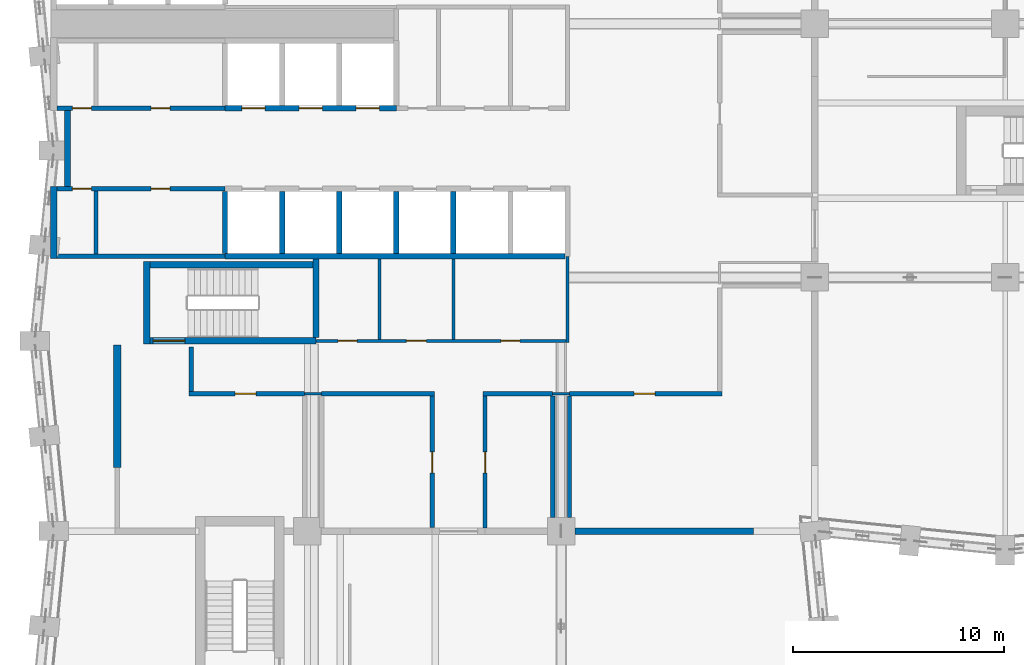
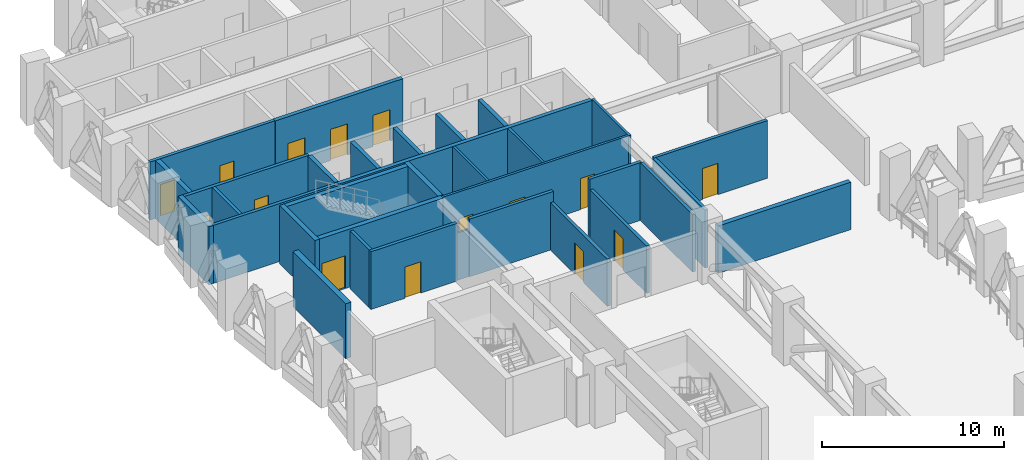
# One storey, part 14 of 25: 34 walls, 15 doors, 15 openings.
"""IFC4 building model written with IfcOpenShell, lengths in metres."""

from ifc_helpers import new_model, si_unit, direction, frame, frame_2d, origin, place, context, subcontext, project, spatial, rectangle, extrude, material, layer, layer_set, type_object, element, fill, save


model = new_model("IFC4")

# Units and contexts
model_context = context("Model", 3, precision=1e-05, world=origin(), true_north=direction((0.0, 1.0)))
body_context = subcontext(model_context, "Body", "Model", "MODEL_VIEW")
ifc_project = project(units=[si_unit("LENGTHUNIT", "METRE"), si_unit("AREAUNIT", "SQUARE_METRE"), si_unit("VOLUMEUNIT", "CUBIC_METRE"), si_unit("PLANEANGLEUNIT", "RADIAN"), si_unit("MASSUNIT", "GRAM", prefix="KILO")], contexts=[model_context])

# Site, building, storey
site_placement = place(None, origin())
site = spatial("IfcSite", under=ifc_project, at=site_placement, CompositionType="ELEMENT")
building_placement = place(site_placement, origin())
building = spatial("IfcBuilding", under=site, at=building_placement, Name="Brondeck Convention Tower", CompositionType="ELEMENT")
storey_placement = place(building_placement, frame((0.0, 0.0, 84.300048828125)))
storey = spatial("IfcBuildingStorey", under=building, at=storey_placement, Name="L19", CompositionType="ELEMENT", Elevation=84.300048828125)

# Walls
ifc_material_1 = material(Name="Precast concrete C50/60 bronze finish", Category="concrete")
ifc_layer_1 = layer(ifc_material_1, 0.080078125, Name="Bronze precast facing")
ifc_material_2 = material(Name="Mineral wool")
ifc_layer_2 = layer(ifc_material_2, 0.159912109375, Name="Insulation")
ifc_material_3 = material(Name="Precast concrete C50/60", Category="concrete")
ifc_layer_3 = layer(ifc_material_3, 0.110107421875, Name="Rated backing")
ifc_layer_set_1 = layer_set([ifc_layer_1, ifc_layer_2, ifc_layer_3], Name="Band enclosure wall, insulated panel")
wall_type_1 = type_object("IfcWallType", Name="Band enclosure wall, insulated panel", PredefinedType="SOLIDWALL", material=ifc_layer_set_1)
wall_1_placement = place(storey_placement, frame((3.0, 30.0, 0.0), z_axis=(0.0, 0.0, 1.0), x_axis=(0.0, 1.0, 0.0)))
element("IfcWall", 1, at=wall_1_placement, inside=storey, type_object=wall_type_1, Name="ENV-L19-002-W", PredefinedType="SOLIDWALL", context=body_context, shape_type="SweptSolid", body=[
    extrude(rectangle(XDim=5.800048828125, YDim=0.35009765625, at=frame_2d((2.89990234375, 0.0))), origin(), (0.0, 0.0, 1.0), 3.699951171875),
])
ifc_material_4 = material(Name="Concrete compartment wall C30/37", Category="concrete")
ifc_layer_4 = layer(ifc_material_4, 0.300048828125)
ifc_layer_set_2 = layer_set([ifc_layer_4], Name="Compartment wall 300")
wall_type_2 = type_object("IfcWallType", Name="Compartment wall 300", PredefinedType="PARTITIONING", material=ifc_layer_set_2)
wall_2_placement = place(storey_placement, frame((33.10009765625, 27.0, 0.0), z_axis=(0.0, 0.0, 1.0), x_axis=(-1.0, 0.0, 0.0)))
element("IfcWall", 2, at=wall_2_placement, inside=storey, type_object=wall_type_2, Name="FLR-L19-W011", PredefinedType="PARTITIONING", context=body_context, shape_type="SweptSolid", body=[
    extrude(rectangle(XDim=8.445068359375, YDim=0.300048828125, at=frame_2d((4.22265625, 0.0))), origin(), (0.0, 0.0, 1.0), 3.179931640625),
])

# Wall, openings, doors
ifc_material_5 = material(Name="Concrete C80/95", Category="concrete")
ifc_layer_5 = layer(ifc_material_5, 0.14990234375)
ifc_layer_set_3 = layer_set([ifc_layer_5], Name="Core beam-seat wall 150 Concrete C80/95")
wall_type_3 = type_object("IfcWallType", Name="Core beam-seat wall 150 Concrete C80/95", PredefinedType="SHEAR", material=ifc_layer_set_3)
wall_3_placement = place(storey_placement, frame((12.39990234375, 36.0, 0.0), z_axis=(0.0, 0.0, 1.0), x_axis=(1.0, 0.0, 0.0)))
wall_3 = element("IfcWall", 3, at=wall_3_placement, inside=storey, type_object=wall_type_3, Name="L19 core wall", PredefinedType="SHEAR", context=body_context, shape_type="SweptSolid", body=[
    extrude(rectangle(XDim=11.8251953125, YDim=0.14990234375, at=frame_2d((5.91259765625, 0.0))), origin(), (0.0, 0.0, 1.0), 3.89990234375),
])
opening_1_placement = place(wall_3_placement, frame((1.050048828125, 0.0, 0.0)))
opening_1 = element("IfcOpeningElement", 4, at=opening_1_placement, cuts=wall_3, Name="Opening C13-03", PredefinedType="OPENING", context=body_context, shape_type="SweptSolid", body=[
    extrude(rectangle(XDim=0.89990234375, YDim=2.10009765625, at=frame_2d((0.449951171875, 1.050048828125))), frame((0.0, 0.0849609375, 0.0), z_axis=(0.0, -1.0, 0.0), x_axis=(1.0, 0.0, 0.0)), (0.0, 0.0, 1.0), 0.169921875),
])
opening_2_placement = place(wall_3_placement, frame((4.27490234375, 0.0, 0.0)))
opening_2 = element("IfcOpeningElement", 5, at=opening_2_placement, cuts=wall_3, Name="Opening C13-04", PredefinedType="OPENING", context=body_context, shape_type="SweptSolid", body=[
    extrude(rectangle(XDim=0.949951171875, YDim=2.10009765625, at=frame_2d((0.47509765625, 1.050048828125))), frame((0.0, 0.0849609375, 0.0), z_axis=(0.0, -1.0, 0.0), x_axis=(1.0, 0.0, 0.0)), (0.0, 0.0, 1.0), 0.169921875),
])
opening_3_placement = place(wall_3_placement, frame((8.75, 0.0, 0.0)))
opening_3 = element("IfcOpeningElement", 6, at=opening_3_placement, cuts=wall_3, Name="Opening C13-05", PredefinedType="OPENING", context=body_context, shape_type="SweptSolid", body=[
    extrude(rectangle(XDim=0.89990234375, YDim=2.10009765625, at=frame_2d((0.449951171875, 1.050048828125))), frame((0.0, 0.0849609375, 0.0), z_axis=(0.0, -1.0, 0.0), x_axis=(1.0, 0.0, 0.0)), (0.0, 0.0, 1.0), 0.169921875),
])
ifc_material_6 = material(Name="Steel fire door", Category="steel")
door_type_1 = type_object("IfcDoorType", Name="Room door 900x2100 EI 60", OperationType="NOTDEFINED", PredefinedType="DOOR", material=ifc_material_6)
door_1_placement = place(opening_1_placement, origin())
door_1 = element("IfcDoor", 7, at=door_1_placement, inside=storey, type_object=door_type_1, Name="L19 Room door FR-1", OperationType="SINGLE_SWING_RIGHT", OverallHeight=2.10009765625, OverallWidth=0.89990234375, PredefinedType="DOOR", context=body_context, shape_type="SweptSolid", body=[
    extrude(rectangle(XDim=0.89990234375, YDim=2.10009765625, at=frame_2d((0.449951171875, 1.050048828125))), frame((0.0, 0.02490234375, 0.0), z_axis=(0.0, -1.0, 0.0), x_axis=(1.0, 0.0, 0.0)), (0.0, 0.0, 1.0), 0.050048828125),
])
fill(opening_1, door_1)
door_2_placement = place(opening_3_placement, origin())
door_2 = element("IfcDoor", 8, at=door_2_placement, inside=storey, type_object=door_type_1, Name="L19 Room door FR-3", OperationType="SINGLE_SWING_RIGHT", OverallHeight=2.10009765625, OverallWidth=0.89990234375, PredefinedType="DOOR", context=body_context, shape_type="SweptSolid", body=[
    extrude(rectangle(XDim=0.89990234375, YDim=2.10009765625, at=frame_2d((0.449951171875, 1.050048828125))), frame((0.0, 0.02490234375, 0.0), z_axis=(0.0, -1.0, 0.0), x_axis=(1.0, 0.0, 0.0)), (0.0, 0.0, 1.0), 0.050048828125),
])
fill(opening_3, door_2)
door_type_2 = type_object("IfcDoorType", Name="Room door 950x2100 EI 60", OperationType="NOTDEFINED", PredefinedType="DOOR", material=ifc_material_6)
door_3_placement = place(opening_2_placement, origin())
door_3 = element("IfcDoor", 9, at=door_3_placement, inside=storey, type_object=door_type_2, Name="L19 Room door FR-2", OperationType="SINGLE_SWING_LEFT", OverallHeight=2.10009765625, OverallWidth=0.949951171875, PredefinedType="DOOR", context=body_context, shape_type="SweptSolid", body=[
    extrude(rectangle(XDim=0.949951171875, YDim=2.10009765625, at=frame_2d((0.47509765625, 1.050048828125))), frame((0.0, 0.02490234375, 0.0), z_axis=(0.0, -1.0, 0.0), x_axis=(1.0, 0.0, 0.0)), (0.0, 0.0, 1.0), 0.050048828125),
])
fill(opening_2, door_3)

# Walls
wall_4_placement = place(storey_placement, frame((24.300048828125, 35.925048828125, 0.0), z_axis=(0.0, 0.0, 1.0), x_axis=(0.0, 1.0, 0.0)))
element("IfcWall", 10, at=wall_4_placement, inside=storey, type_object=wall_type_3, Name="L19 core wall", PredefinedType="SHEAR", context=body_context, shape_type="SweptSolid", body=[
    extrude(rectangle(XDim=4.074951171875, YDim=0.14990234375, at=frame_2d((2.03759765625, 0.0))), origin(), (0.0, 0.0, 1.0), 3.89990234375),
])
ifc_layer_6 = layer(ifc_material_5, 0.300048828125)
ifc_layer_set_4 = layer_set([ifc_layer_6], Name="Core outer wall 300 Concrete C80/95")
wall_type_4 = type_object("IfcWallType", Name="Core outer wall 300 Concrete C80/95", PredefinedType="SHEAR", material=ifc_layer_set_4)
wall_5_placement = place(storey_placement, frame((0.0, 39.89990234375, 0.0), z_axis=(0.0, 0.0, 1.0), x_axis=(0.0, 1.0, 0.0)))
element("IfcWall", 11, at=wall_5_placement, inside=storey, type_object=wall_type_4, Name="L19 core wall", PredefinedType="SHEAR", context=body_context, shape_type="SweptSolid", body=[
    extrude(rectangle(XDim=3.400146484375, YDim=0.300048828125, at=frame_2d((1.7001953125, 0.0))), origin(), (0.0, 0.0, 1.0), 3.89990234375),
])
wall_6_placement = place(storey_placement, frame((0.64990234375, 43.300048828125, 0.0), z_axis=(0.0, 0.0, 1.0), x_axis=(0.0, 1.0, 0.0)))
element("IfcWall", 12, at=wall_6_placement, inside=storey, type_object=wall_type_4, Name="L19 core wall", PredefinedType="SHEAR", context=body_context, shape_type="SweptSolid", body=[
    extrude(rectangle(XDim=3.599853515625, YDim=0.300048828125, at=frame_2d((1.7998046875, 0.0))), origin(), (0.0, 0.0, 1.0), 3.89990234375),
])
ifc_material_7 = material(Name="Fire-rated gypsum board partition")
ifc_layer_7 = layer(ifc_material_7, 0.14990234375)
ifc_layer_set_5 = layer_set([ifc_layer_7], Name="Core partition 150 EI 60")
wall_type_5 = type_object("IfcWallType", Name="Core partition 150 EI 60", PredefinedType="PARTITIONING", material=ifc_layer_set_5)
for number, where, z_axis, x_axis, name in (
    (13, (15.39990234375, 36.074951171875, 0.0), (0.0, 0.0, 1.0), (0.0, 1.0, 0.0), "L19 core wall"),
    (14, (18.89990234375, 36.074951171875, 0.0), (0.0, 0.0, 1.0), (0.0, 1.0, 0.0), "L19 core wall"),
):
    element("IfcWall", number, at=place(storey_placement, frame(where, z_axis=z_axis, x_axis=x_axis)), inside=storey, type_object=wall_type_5, Name=name, PredefinedType="PARTITIONING", context=body_context, shape_type="SweptSolid", body=[
        extrude(rectangle(XDim=3.800048828125, YDim=0.14990234375, at=frame_2d((1.89990234375, 0.0))), origin(), (0.0, 0.0, 1.0), 3.89990234375),
    ])
ifc_layer_8 = layer(ifc_material_5, 0.25)
ifc_layer_set_6 = layer_set([ifc_layer_8], Name="Lift shaft wall 250 Concrete C80/95")
wall_type_6 = type_object("IfcWallType", Name="Lift shaft wall 250 Concrete C80/95", PredefinedType="SHEAR", material=ifc_layer_set_6)
wall_7_placement = place(storey_placement, frame((8.10009765625, 40.0, 0.0), z_axis=(0.0, 0.0, 1.0), x_axis=(1.0, 0.0, 0.0)))
element("IfcWall", 15, at=wall_7_placement, inside=storey, type_object=wall_type_6, Name="L19 core wall", PredefinedType="SHEAR", context=body_context, shape_type="SweptSolid", body=[
    extrude(rectangle(XDim=16.074951171875, YDim=0.25, at=frame_2d((8.03759765625, 0.0))), origin(), (0.0, 0.0, 1.0), 3.89990234375),
])

# Wall, openings, doors
wall_8_placement = place(storey_placement, frame((8.10009765625, 47.0, 0.0), z_axis=(0.0, 0.0, 1.0), x_axis=(1.0, 0.0, 0.0)))
wall_8 = element("IfcWall", 16, at=wall_8_placement, inside=storey, type_object=wall_type_6, Name="L19 core wall", PredefinedType="SHEAR", context=body_context, shape_type="SweptSolid", body=[
    extrude(rectangle(XDim=8.099853515625, YDim=0.25, at=frame_2d((4.0498046875, 0.0))), origin(), (0.0, 0.0, 1.0), 3.89990234375),
])
opening_4_placement = place(wall_8_placement, frame((0.800048828125, 0.0, 0.0)))
opening_4 = element("IfcOpeningElement", 17, at=opening_4_placement, cuts=wall_8, Name="Opening C13-28", PredefinedType="OPENING", context=body_context, shape_type="SweptSolid", body=[
    extrude(rectangle(XDim=1.10009765625, YDim=2.10009765625, at=frame_2d((0.550048828125, 1.050048828125))), frame((0.0, 0.135009765625, 0.0), z_axis=(0.0, -1.0, 0.0), x_axis=(1.0, 0.0, 0.0)), (0.0, 0.0, 1.0), 0.27001953125),
])
opening_5_placement = place(wall_8_placement, frame((3.5, 0.0, 0.0)))
opening_5 = element("IfcOpeningElement", 18, at=opening_5_placement, cuts=wall_8, Name="Opening C13-29", PredefinedType="OPENING", context=body_context, shape_type="SweptSolid", body=[
    extrude(rectangle(XDim=1.10009765625, YDim=2.10009765625, at=frame_2d((0.550048828125, 1.050048828125))), frame((0.0, 0.135009765625, 0.0), z_axis=(0.0, -1.0, 0.0), x_axis=(1.0, 0.0, 0.0)), (0.0, 0.0, 1.0), 0.27001953125),
])
opening_6_placement = place(wall_8_placement, frame((6.199951171875, 0.0, 0.0)))
opening_6 = element("IfcOpeningElement", 19, at=opening_6_placement, cuts=wall_8, Name="Opening C13-30", PredefinedType="OPENING", context=body_context, shape_type="SweptSolid", body=[
    extrude(rectangle(XDim=1.10009765625, YDim=2.10009765625, at=frame_2d((0.550048828125, 1.050048828125))), frame((0.0, 0.135009765625, 0.0), z_axis=(0.0, -1.0, 0.0), x_axis=(1.0, 0.0, 0.0)), (0.0, 0.0, 1.0), 0.27001953125),
])
ifc_material_8 = material(Name="Stainless steel lift door", Category="steel")
door_type_3 = type_object("IfcDoorType", Name="Lift landing door 1100x2100 EI 180", OperationType="DOUBLE_DOOR_SLIDING", PredefinedType="DOOR", material=ifc_material_8)
door_4_placement = place(opening_4_placement, origin())
door_4 = element("IfcDoor", 20, at=door_4_placement, inside=storey, type_object=door_type_3, Name="L19 Lift landing door LR4", OperationType="DOUBLE_DOOR_SLIDING", OverallHeight=2.10009765625, OverallWidth=1.10009765625, PredefinedType="DOOR", context=body_context, shape_type="SweptSolid", body=[
    extrude(rectangle(XDim=1.10009765625, YDim=2.10009765625, at=frame_2d((0.550048828125, 1.050048828125))), frame((0.0, 0.02490234375, 0.0), z_axis=(0.0, -1.0, 0.0), x_axis=(1.0, 0.0, 0.0)), (0.0, 0.0, 1.0), 0.050048828125),
])
fill(opening_4, door_4)
door_5_placement = place(opening_5_placement, origin())
door_5 = element("IfcDoor", 21, at=door_5_placement, inside=storey, type_object=door_type_3, Name="L19 Lift landing door LR5", OperationType="DOUBLE_DOOR_SLIDING", OverallHeight=2.10009765625, OverallWidth=1.10009765625, PredefinedType="DOOR", context=body_context, shape_type="SweptSolid", body=[
    extrude(rectangle(XDim=1.10009765625, YDim=2.10009765625, at=frame_2d((0.550048828125, 1.050048828125))), frame((0.0, 0.02490234375, 0.0), z_axis=(0.0, -1.0, 0.0), x_axis=(1.0, 0.0, 0.0)), (0.0, 0.0, 1.0), 0.050048828125),
])
fill(opening_5, door_5)
door_6_placement = place(opening_6_placement, origin())
door_6 = element("IfcDoor", 22, at=door_6_placement, inside=storey, type_object=door_type_3, Name="L19 Lift landing door LR6", OperationType="DOUBLE_DOOR_SLIDING", OverallHeight=2.10009765625, OverallWidth=1.10009765625, PredefinedType="DOOR", context=body_context, shape_type="SweptSolid", body=[
    extrude(rectangle(XDim=1.10009765625, YDim=2.10009765625, at=frame_2d((0.550048828125, 1.050048828125))), frame((0.0, 0.02490234375, 0.0), z_axis=(0.0, -1.0, 0.0), x_axis=(1.0, 0.0, 0.0)), (0.0, 0.0, 1.0), 0.050048828125),
])
fill(opening_6, door_6)

# Walls
for number, where, z_axis, x_axis, name in (
    (23, (8.10009765625, 40.125, 0.0), (0.0, 0.0, 1.0), (0.0, 1.0, 0.0), "L19 core wall"),
    (24, (10.800048828125, 40.125, 0.0), (0.0, 0.0, 1.0), (0.0, 1.0, 0.0), "L19 core wall"),
    (25, (13.5, 40.125, 0.0), (0.0, 0.0, 1.0), (0.0, 1.0, 0.0), "L19 core wall"),
    (26, (16.199951171875, 40.125, 0.0), (0.0, 0.0, 1.0), (0.0, 1.0, 0.0), "L19 core wall"),
    (27, (18.89990234375, 40.125, 0.0), (0.0, 0.0, 1.0), (0.0, 1.0, 0.0), "L19 core wall"),
):
    element("IfcWall", number, at=place(storey_placement, frame(where, z_axis=z_axis, x_axis=x_axis)), inside=storey, type_object=wall_type_6, Name=name, PredefinedType="SHEAR", context=body_context, shape_type="SweptSolid", body=[
        extrude(rectangle(XDim=2.949951171875, YDim=0.25, at=frame_2d((1.47509765625, 0.0))), origin(), (0.0, 0.0, 1.0), 3.89990234375),
    ])

# Wall, opening, door
ifc_material_9 = material(Name="Concrete block wall C16/20", Category="concrete")
ifc_layer_9 = layer(ifc_material_9, 0.199951171875)
ifc_layer_set_7 = layer_set([ifc_layer_9], Name="Plant room wall 200")
wall_type_7 = type_object("IfcWallType", Name="Plant room wall 200", PredefinedType="PARTITIONING", material=ifc_layer_set_7)
wall_9_placement = place(storey_placement, frame((17.89990234375, 27.159912109375, 0.0), z_axis=(0.0, 0.0, 1.0), x_axis=(0.0, 1.0, 0.0)))
wall_9 = element("IfcWall", 28, at=wall_9_placement, inside=storey, type_object=wall_type_7, Name="FLR-L19-W014", PredefinedType="PARTITIONING", context=body_context, shape_type="SweptSolid", body=[
    extrude(rectangle(XDim=6.239990234375, YDim=0.199951171875, at=frame_2d((3.1201171875, 0.0))), origin(), (0.0, 0.0, 1.0), 3.179931640625),
])
opening_7_placement = place(wall_9_placement, frame((2.590087890625, 0.0, 0.0)))
opening_7 = element("IfcOpeningElement", 29, at=opening_7_placement, cuts=wall_9, Name="Opening BD-1-003", PredefinedType="OPENING", context=body_context, shape_type="SweptSolid", body=[
    extrude(rectangle(XDim=1.0, YDim=2.10009765625, at=frame_2d((0.5, 1.050048828125))), frame((0.0, 0.10986328125, 0.0), z_axis=(0.0, -1.0, 0.0), x_axis=(1.0, 0.0, 0.0)), (0.0, 0.0, 1.0), 0.219970703125),
])
ifc_material_10 = material(Name="Steel fire door leaf", Category="steel")
door_type_4 = type_object("IfcDoorType", Name="Plant room door 1000", OperationType="NOTDEFINED", PredefinedType="DOOR", material=ifc_material_10)
door_7_placement = place(opening_7_placement, origin())
door_7 = element("IfcDoor", 30, at=door_7_placement, inside=storey, type_object=door_type_4, Name="Door BD-1-003", OperationType="SINGLE_SWING_RIGHT", OverallHeight=2.10009765625, OverallWidth=1.0, PredefinedType="DOOR", context=body_context, shape_type="SweptSolid", body=[
    extrude(rectangle(XDim=1.0, YDim=2.10009765625, at=frame_2d((0.5, 1.050048828125))), frame((0.0, 0.02490234375, 0.0), z_axis=(0.0, -1.0, 0.0), x_axis=(1.0, 0.0, 0.0)), (0.0, 0.0, 1.0), 0.050048828125),
])
fill(opening_7, door_7)

# Wall
wall_10_placement = place(storey_placement, frame((24.39990234375, 27.655029296875, 0.0), z_axis=(0.0, 0.0, 1.0), x_axis=(0.0, 1.0, 0.0)))
element("IfcWall", 31, at=wall_10_placement, inside=storey, type_object=wall_type_7, Name="FLR-L19-W015", PredefinedType="PARTITIONING", context=body_context, shape_type="SweptSolid", body=[
    extrude(rectangle(XDim=5.744873046875, YDim=0.199951171875, at=frame_2d((2.87255859375, 0.0))), origin(), (0.0, 0.0, 1.0), 3.8798828125),
])

# Wall, opening, door
wall_11_placement = place(storey_placement, frame((20.39990234375, 33.39990234375, 0.0), z_axis=(0.0, 0.0, 1.0), x_axis=(0.0, -1.0, 0.0)))
wall_11 = element("IfcWall", 32, at=wall_11_placement, inside=storey, type_object=wall_type_7, Name="FLR-L19-W019", PredefinedType="PARTITIONING", context=body_context, shape_type="SweptSolid", body=[
    extrude(rectangle(XDim=6.239990234375, YDim=0.199951171875, at=frame_2d((3.1201171875, 0.0))), origin(), (0.0, 0.0, 1.0), 3.179931640625),
])
opening_8_placement = place(wall_11_placement, frame((2.64990234375, 0.0, 0.0)))
opening_8 = element("IfcOpeningElement", 33, at=opening_8_placement, cuts=wall_11, Name="Opening BD-1-005", PredefinedType="OPENING", context=body_context, shape_type="SweptSolid", body=[
    extrude(rectangle(XDim=1.0, YDim=2.10009765625, at=frame_2d((0.5, 1.050048828125))), frame((0.0, 0.10986328125, 0.0), z_axis=(0.0, -1.0, 0.0), x_axis=(1.0, 0.0, 0.0)), (0.0, 0.0, 1.0), 0.219970703125),
])
door_8_placement = place(opening_8_placement, origin())
door_8 = element("IfcDoor", 34, at=door_8_placement, inside=storey, type_object=door_type_4, Name="Door BD-1-005", OperationType="SINGLE_SWING_LEFT", OverallHeight=2.10009765625, OverallWidth=1.0, PredefinedType="DOOR", context=body_context, shape_type="SweptSolid", body=[
    extrude(rectangle(XDim=1.0, YDim=2.10009765625, at=frame_2d((0.5, 1.050048828125))), frame((0.0, 0.02490234375, 0.0), z_axis=(0.0, -1.0, 0.0), x_axis=(1.0, 0.0, 0.0)), (0.0, 0.0, 1.0), 0.050048828125),
])
fill(opening_8, door_8)

# Wall
wall_12_placement = place(storey_placement, frame((23.60009765625, 33.39990234375, 0.0), z_axis=(0.0, 0.0, 1.0), x_axis=(0.0, -1.0, 0.0)))
element("IfcWall", 35, at=wall_12_placement, inside=storey, type_object=wall_type_7, Name="FLR-L19-W020", PredefinedType="PARTITIONING", context=body_context, shape_type="SweptSolid", body=[
    extrude(rectangle(XDim=5.744873046875, YDim=0.199951171875, at=frame_2d((2.87255859375, 0.0))), origin(), (0.0, 0.0, 1.0), 3.8798828125),
])

# Wall, opening, door
wall_13_placement = place(storey_placement, frame((11.8701171875, 33.5, 0.0), z_axis=(0.0, 0.0, 1.0), x_axis=(-1.0, 0.0, 0.0)))
wall_13 = element("IfcWall", 36, at=wall_13_placement, inside=storey, type_object=wall_type_7, Name="FLR-L19-W021", PredefinedType="PARTITIONING", context=body_context, shape_type="SweptSolid", body=[
    extrude(rectangle(XDim=5.47021484375, YDim=0.199951171875, at=frame_2d((2.735107421875, 0.0))), origin(), (0.0, 0.0, 1.0), 3.8798828125),
])
opening_9_placement = place(wall_13_placement, frame((2.294921875, 0.0, 0.0)))
opening_9 = element("IfcOpeningElement", 37, at=opening_9_placement, cuts=wall_13, Name="Opening BD-1-002", PredefinedType="OPENING", context=body_context, shape_type="SweptSolid", body=[
    extrude(rectangle(XDim=1.0, YDim=2.10009765625, at=frame_2d((0.5, 1.050048828125))), frame((0.0, 0.10986328125, 0.0), z_axis=(0.0, -1.0, 0.0), x_axis=(1.0, 0.0, 0.0)), (0.0, 0.0, 1.0), 0.219970703125),
])
door_9_placement = place(opening_9_placement, origin())
door_9 = element("IfcDoor", 38, at=door_9_placement, inside=storey, type_object=door_type_4, Name="Door BD-1-002", OperationType="SINGLE_SWING_LEFT", OverallHeight=2.10009765625, OverallWidth=1.0, PredefinedType="DOOR", context=body_context, shape_type="SweptSolid", body=[
    extrude(rectangle(XDim=1.0, YDim=2.10009765625, at=frame_2d((0.5, 1.050048828125))), frame((0.0, 0.02490234375, 0.0), z_axis=(0.0, -1.0, 0.0), x_axis=(1.0, 0.0, 0.0)), (0.0, 0.0, 1.0), 0.050048828125),
])
fill(opening_9, door_9)

# Walls
wall_14_placement = place(storey_placement, frame((18.0, 33.5, 0.0), z_axis=(0.0, 0.0, 1.0), x_axis=(-1.0, 0.0, 0.0)))
element("IfcWall", 39, at=wall_14_placement, inside=storey, type_object=wall_type_7, Name="FLR-L19-W023", PredefinedType="PARTITIONING", context=body_context, shape_type="SweptSolid", body=[
    extrude(rectangle(XDim=5.330078125, YDim=0.199951171875, at=frame_2d((2.6650390625, 0.0))), origin(), (0.0, 0.0, 1.0), 3.8798828125),
])
wall_15_placement = place(storey_placement, frame((23.60009765625, 33.5, 0.0), z_axis=(0.0, 0.0, 1.0), x_axis=(-1.0, 0.0, 0.0)))
element("IfcWall", 40, at=wall_15_placement, inside=storey, type_object=wall_type_7, Name="FLR-L19-W024", PredefinedType="PARTITIONING", context=body_context, shape_type="SweptSolid", body=[
    extrude(rectangle(XDim=3.300048828125, YDim=0.199951171875, at=frame_2d((1.64990234375, 0.0))), origin(), (0.0, 0.0, 1.0), 3.8798828125),
])

# Wall, opening, door
wall_16_placement = place(storey_placement, frame((31.60009765625, 33.5, 0.0), z_axis=(0.0, 0.0, 1.0), x_axis=(-1.0, 0.0, 0.0)))
wall_16 = element("IfcWall", 41, at=wall_16_placement, inside=storey, type_object=wall_type_7, Name="FLR-L19-W026", PredefinedType="PARTITIONING", context=body_context, shape_type="SweptSolid", body=[
    extrude(rectangle(XDim=7.2001953125, YDim=0.199951171875, at=frame_2d((3.60009765625, 0.0))), origin(), (0.0, 0.0, 1.0), 3.8798828125),
])
opening_10_placement = place(wall_16_placement, frame((3.14990234375, 0.0, 0.0)))
opening_10 = element("IfcOpeningElement", 42, at=opening_10_placement, cuts=wall_16, Name="Opening BD-1-004", PredefinedType="OPENING", context=body_context, shape_type="SweptSolid", body=[
    extrude(rectangle(XDim=1.0, YDim=2.10009765625, at=frame_2d((0.5, 1.050048828125))), frame((0.0, 0.10986328125, 0.0), z_axis=(0.0, -1.0, 0.0), x_axis=(1.0, 0.0, 0.0)), (0.0, 0.0, 1.0), 0.219970703125),
])
door_10_placement = place(opening_10_placement, origin())
door_10 = element("IfcDoor", 43, at=door_10_placement, inside=storey, type_object=door_type_4, Name="Door BD-1-004", OperationType="SINGLE_SWING_RIGHT", OverallHeight=2.10009765625, OverallWidth=1.0, PredefinedType="DOOR", context=body_context, shape_type="SweptSolid", body=[
    extrude(rectangle(XDim=1.0, YDim=2.10009765625, at=frame_2d((0.5, 1.050048828125))), frame((0.0, 0.02490234375, 0.0), z_axis=(0.0, -1.0, 0.0), x_axis=(1.0, 0.0, 0.0)), (0.0, 0.0, 1.0), 0.050048828125),
])
fill(opening_10, door_10)

# Walls
wall_17_placement = place(storey_placement, frame((6.5, 33.60009765625, 0.0), z_axis=(0.0, 0.0, 1.0), x_axis=(0.0, 1.0, 0.0)))
element("IfcWall", 44, at=wall_17_placement, inside=storey, type_object=wall_type_7, Name="FLR-L19-W027", PredefinedType="PARTITIONING", context=body_context, shape_type="SweptSolid", body=[
    extrude(rectangle(XDim=2.099853515625, YDim=0.199951171875, at=frame_2d((1.0498046875, 0.0))), origin(), (0.0, 0.0, 1.0), 3.8798828125),
])
ifc_layer_10 = layer(ifc_material_7, 0.199951171875)
ifc_layer_set_8 = layer_set([ifc_layer_10], Name="Plant room wall 200 EI 120")
wall_type_8 = type_object("IfcWallType", Name="Plant room wall 200 EI 120", PredefinedType="PARTITIONING", material=ifc_layer_set_8)
wall_18_placement = place(storey_placement, frame((0.14990234375, 40.0, 0.0), z_axis=(0.0, 0.0, 1.0), x_axis=(1.0, 0.0, 0.0)))
element("IfcWall", 45, at=wall_18_placement, inside=storey, type_object=wall_type_8, Name="L19 core wall", PredefinedType="PARTITIONING", context=body_context, shape_type="SweptSolid", body=[
    extrude(rectangle(XDim=7.9501953125, YDim=0.199951171875, at=frame_2d((3.97509765625, 0.0))), origin(), (0.0, 0.0, 1.0), 3.89990234375),
])

# Wall, openings, doors
wall_19_placement = place(storey_placement, frame((0.14990234375, 43.199951171875, 0.0), z_axis=(0.0, 0.0, 1.0), x_axis=(1.0, 0.0, 0.0)))
wall_19 = element("IfcWall", 46, at=wall_19_placement, inside=storey, type_object=wall_type_8, Name="L19 core wall", PredefinedType="PARTITIONING", context=body_context, shape_type="SweptSolid", body=[
    extrude(rectangle(XDim=7.9501953125, YDim=0.199951171875, at=frame_2d((3.97509765625, 0.0))), origin(), (0.0, 0.0, 1.0), 3.89990234375),
])
opening_11_placement = place(wall_19_placement, frame((0.72509765625, 0.0, 0.0)))
opening_11 = element("IfcOpeningElement", 47, at=opening_11_placement, cuts=wall_19, Name="Opening C13-10", PredefinedType="OPENING", context=body_context, shape_type="SweptSolid", body=[
    extrude(rectangle(XDim=0.89990234375, YDim=2.10009765625, at=frame_2d((0.449951171875, 1.050048828125))), frame((0.0, 0.10986328125, 0.0), z_axis=(0.0, -1.0, 0.0), x_axis=(1.0, 0.0, 0.0)), (0.0, 0.0, 1.0), 0.219970703125),
])
opening_12_placement = place(wall_19_placement, frame((4.449951171875, 0.0, 0.0)))
opening_12 = element("IfcOpeningElement", 48, at=opening_12_placement, cuts=wall_19, Name="Opening C13-11", PredefinedType="OPENING", context=body_context, shape_type="SweptSolid", body=[
    extrude(rectangle(XDim=0.89990234375, YDim=2.10009765625, at=frame_2d((0.449951171875, 1.050048828125))), frame((0.0, 0.10986328125, 0.0), z_axis=(0.0, -1.0, 0.0), x_axis=(1.0, 0.0, 0.0)), (0.0, 0.0, 1.0), 0.219970703125),
])
door_type_5 = type_object("IfcDoorType", Name="Room door 900x2100 EI 120", OperationType="NOTDEFINED", PredefinedType="DOOR", material=ifc_material_6)
door_11_placement = place(opening_11_placement, origin())
door_11 = element("IfcDoor", 49, at=door_11_placement, inside=storey, type_object=door_type_5, Name="L19 Room door FZ-S-0-1", OperationType="SINGLE_SWING_LEFT", OverallHeight=2.10009765625, OverallWidth=0.89990234375, PredefinedType="DOOR", context=body_context, shape_type="SweptSolid", body=[
    extrude(rectangle(XDim=0.89990234375, YDim=2.10009765625, at=frame_2d((0.449951171875, 1.050048828125))), frame((0.0, 0.02490234375, 0.0), z_axis=(0.0, -1.0, 0.0), x_axis=(1.0, 0.0, 0.0)), (0.0, 0.0, 1.0), 0.050048828125),
])
fill(opening_11, door_11)
door_12_placement = place(opening_12_placement, origin())
door_12 = element("IfcDoor", 50, at=door_12_placement, inside=storey, type_object=door_type_5, Name="L19 Room door FZ-S-0-2", OperationType="SINGLE_SWING_RIGHT", OverallHeight=2.10009765625, OverallWidth=0.89990234375, PredefinedType="DOOR", context=body_context, shape_type="SweptSolid", body=[
    extrude(rectangle(XDim=0.89990234375, YDim=2.10009765625, at=frame_2d((0.449951171875, 1.050048828125))), frame((0.0, 0.02490234375, 0.0), z_axis=(0.0, -1.0, 0.0), x_axis=(1.0, 0.0, 0.0)), (0.0, 0.0, 1.0), 0.050048828125),
])
fill(opening_12, door_12)

wall_20_placement = place(storey_placement, frame((0.14990234375, 47.0, 0.0), z_axis=(0.0, 0.0, 1.0), x_axis=(1.0, 0.0, 0.0)))
wall_20 = element("IfcWall", 51, at=wall_20_placement, inside=storey, type_object=wall_type_8, Name="L19 core wall", PredefinedType="PARTITIONING", context=body_context, shape_type="SweptSolid", body=[
    extrude(rectangle(XDim=7.9501953125, YDim=0.199951171875, at=frame_2d((3.97509765625, 0.0))), origin(), (0.0, 0.0, 1.0), 3.89990234375),
])
opening_13_placement = place(wall_20_placement, frame((0.72509765625, 0.0, 0.0)))
opening_13 = element("IfcOpeningElement", 52, at=opening_13_placement, cuts=wall_20, Name="Opening C13-06", PredefinedType="OPENING", context=body_context, shape_type="SweptSolid", body=[
    extrude(rectangle(XDim=0.89990234375, YDim=2.10009765625, at=frame_2d((0.449951171875, 1.050048828125))), frame((0.0, 0.10986328125, 0.0), z_axis=(0.0, -1.0, 0.0), x_axis=(1.0, 0.0, 0.0)), (0.0, 0.0, 1.0), 0.219970703125),
])
opening_14_placement = place(wall_20_placement, frame((4.449951171875, 0.0, 0.0)))
opening_14 = element("IfcOpeningElement", 53, at=opening_14_placement, cuts=wall_20, Name="Opening C13-07", PredefinedType="OPENING", context=body_context, shape_type="SweptSolid", body=[
    extrude(rectangle(XDim=0.89990234375, YDim=2.10009765625, at=frame_2d((0.449951171875, 1.050048828125))), frame((0.0, 0.10986328125, 0.0), z_axis=(0.0, -1.0, 0.0), x_axis=(1.0, 0.0, 0.0)), (0.0, 0.0, 1.0), 0.219970703125),
])
door_13_placement = place(opening_13_placement, origin())
door_13 = element("IfcDoor", 54, at=door_13_placement, inside=storey, type_object=door_type_5, Name="L19 Room door FZ-N-0-1", OperationType="SINGLE_SWING_RIGHT", OverallHeight=2.10009765625, OverallWidth=0.89990234375, PredefinedType="DOOR", context=body_context, shape_type="SweptSolid", body=[
    extrude(rectangle(XDim=0.89990234375, YDim=2.10009765625, at=frame_2d((0.449951171875, 1.050048828125))), frame((0.0, 0.02490234375, 0.0), z_axis=(0.0, -1.0, 0.0), x_axis=(1.0, 0.0, 0.0)), (0.0, 0.0, 1.0), 0.050048828125),
])
fill(opening_13, door_13)
door_14_placement = place(opening_14_placement, origin())
door_14 = element("IfcDoor", 55, at=door_14_placement, inside=storey, type_object=door_type_5, Name="L19 Room door FZ-N-0-2", OperationType="SINGLE_SWING_LEFT", OverallHeight=2.10009765625, OverallWidth=0.89990234375, PredefinedType="DOOR", context=body_context, shape_type="SweptSolid", body=[
    extrude(rectangle(XDim=0.89990234375, YDim=2.10009765625, at=frame_2d((0.449951171875, 1.050048828125))), frame((0.0, 0.02490234375, 0.0), z_axis=(0.0, -1.0, 0.0), x_axis=(1.0, 0.0, 0.0)), (0.0, 0.0, 1.0), 0.050048828125),
])
fill(opening_14, door_14)

# Walls
wall_21_placement = place(storey_placement, frame((2.0, 40.10009765625, 0.0), z_axis=(0.0, 0.0, 1.0), x_axis=(0.0, 1.0, 0.0)))
element("IfcWall", 56, at=wall_21_placement, inside=storey, type_object=wall_type_8, Name="L19 core wall", PredefinedType="PARTITIONING", context=body_context, shape_type="SweptSolid", body=[
    extrude(rectangle(XDim=3.0, YDim=0.199951171875, at=frame_2d((1.5, 0.0))), origin(), (0.0, 0.0, 1.0), 3.89990234375),
])
ifc_material_11 = material(Name="Gypsum board partition on steel studs", Category="steel")
ifc_layer_11 = layer(ifc_material_11, 0.10009765625)
ifc_layer_set_9 = layer_set([ifc_layer_11], Name="Room partition 100")
wall_type_9 = type_object("IfcWallType", Name="Room partition 100", PredefinedType="PARTITIONING", material=ifc_layer_set_9)
for number, where, z_axis, x_axis, name in (
    (57, (12.669921875, 33.5, 0.0), (0.0, 0.0, 1.0), (-1.0, 0.0, 0.0), "FLR-L19-W022"),
    (58, (24.39990234375, 33.5, 0.0), (0.0, 0.0, 1.0), (-1.0, 0.0, 0.0), "FLR-L19-W025"),
):
    element("IfcWall", number, at=place(storey_placement, frame(where, z_axis=z_axis, x_axis=x_axis)), inside=storey, type_object=wall_type_9, Name=name, PredefinedType="PARTITIONING", context=body_context, shape_type="SweptSolid", body=[
        extrude(rectangle(XDim=0.7998046875, YDim=0.10009765625, at=frame_2d((0.39990234375, 0.0))), origin(), (0.0, 0.0, 1.0), 3.179931640625),
    ])

# Wall, opening, door
ifc_layer_12 = layer(ifc_material_5, 0.300048828125)
ifc_layer_set_10 = layer_set([ifc_layer_12], Name="Stair enclosure wall 300 Concrete C80/95")
wall_type_10 = type_object("IfcWallType", Name="Stair enclosure wall 300 Concrete C80/95", PredefinedType="SHEAR", material=ifc_layer_set_10)
wall_22_placement = place(storey_placement, frame((4.550048828125, 36.0, 0.0), z_axis=(0.0, 0.0, 1.0), x_axis=(1.0, 0.0, 0.0)))
wall_22 = element("IfcWall", 59, at=wall_22_placement, inside=storey, type_object=wall_type_10, Name="L19 core wall", PredefinedType="SHEAR", context=body_context, shape_type="SweptSolid", body=[
    extrude(rectangle(XDim=7.849853515625, YDim=0.300048828125, at=frame_2d((3.9248046875, 0.0))), origin(), (0.0, 0.0, 1.0), 3.89990234375),
])
opening_15_placement = place(wall_22_placement, frame((0.14990234375, 0.0, 0.0)))
opening_15 = element("IfcOpeningElement", 60, at=opening_15_placement, cuts=wall_22, Name="Opening C13-14", PredefinedType="OPENING", context=body_context, shape_type="SweptSolid", body=[
    extrude(rectangle(XDim=1.5, YDim=2.199951171875, at=frame_2d((0.75, 1.10009765625))), frame((0.0, 0.159912109375, 0.0), z_axis=(0.0, -1.0, 0.0), x_axis=(1.0, 0.0, 0.0)), (0.0, 0.0, 1.0), 0.320068359375),
])
door_type_6 = type_object("IfcDoorType", Name="Stair door 1500x2200 EI 90", OperationType="NOTDEFINED", PredefinedType="DOOR", material=ifc_material_6)
door_15_placement = place(opening_15_placement, origin())
door_15 = element("IfcDoor", 61, at=door_15_placement, inside=storey, type_object=door_type_6, Name="L19 Stair door ST-1", OperationType="SINGLE_SWING_RIGHT", OverallHeight=2.199951171875, OverallWidth=1.5, PredefinedType="DOOR", context=body_context, shape_type="SweptSolid", body=[
    extrude(rectangle(XDim=1.5, YDim=2.199951171875, at=frame_2d((0.75, 1.10009765625))), frame((0.0, 0.02490234375, 0.0), z_axis=(0.0, -1.0, 0.0), x_axis=(1.0, 0.0, 0.0)), (0.0, 0.0, 1.0), 0.050048828125),
])
fill(opening_15, door_15)

# Walls
wall_23_placement = place(storey_placement, frame((4.550048828125, 39.60009765625, 0.0), z_axis=(0.0, 0.0, 1.0), x_axis=(1.0, 0.0, 0.0)))
element("IfcWall", 62, at=wall_23_placement, inside=storey, type_object=wall_type_10, Name="L19 core wall", PredefinedType="SHEAR", context=body_context, shape_type="SweptSolid", body=[
    extrude(rectangle(XDim=7.699951171875, YDim=0.300048828125, at=frame_2d((3.85009765625, 0.0))), origin(), (0.0, 0.0, 1.0), 3.89990234375),
])
wall_24_placement = place(storey_placement, frame((4.39990234375, 35.85009765625, 0.0), z_axis=(0.0, 0.0, 1.0), x_axis=(0.0, 1.0, 0.0)))
element("IfcWall", 63, at=wall_24_placement, inside=storey, type_object=wall_type_10, Name="L19 core wall", PredefinedType="SHEAR", context=body_context, shape_type="SweptSolid", body=[
    extrude(rectangle(XDim=3.89990234375, YDim=0.300048828125, at=frame_2d((1.949951171875, 0.0))), origin(), (0.0, 0.0, 1.0), 3.89990234375),
])
wall_25_placement = place(storey_placement, frame((12.39990234375, 36.14990234375, 0.0), z_axis=(0.0, 0.0, 1.0), x_axis=(0.0, 1.0, 0.0)))
element("IfcWall", 64, at=wall_25_placement, inside=storey, type_object=wall_type_10, Name="L19 core wall", PredefinedType="SHEAR", context=body_context, shape_type="SweptSolid", body=[
    extrude(rectangle(XDim=3.72509765625, YDim=0.300048828125, at=frame_2d((1.862548828125, 0.0))), origin(), (0.0, 0.0, 1.0), 3.89990234375),
])

save(model, "model.ifc")
